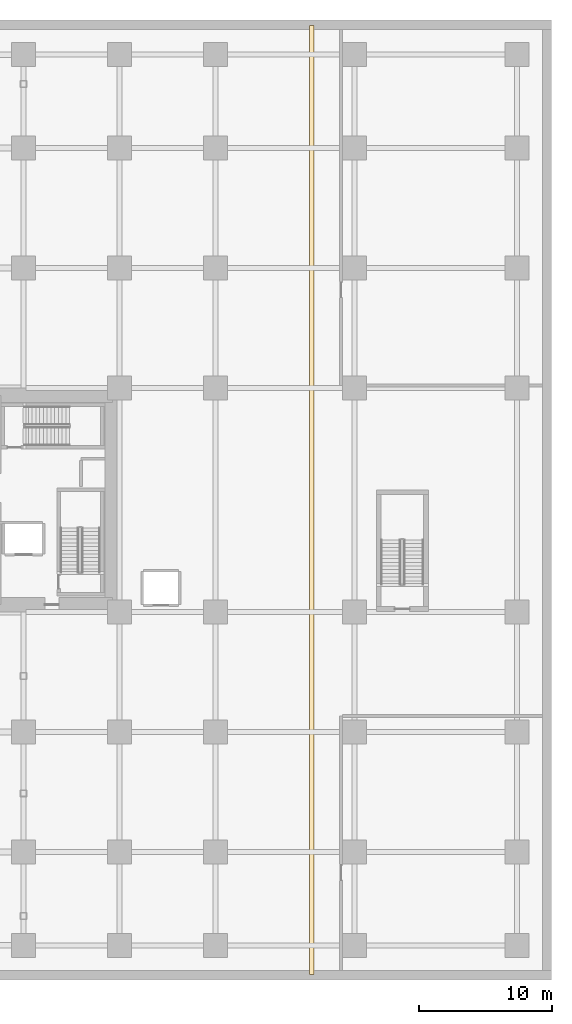
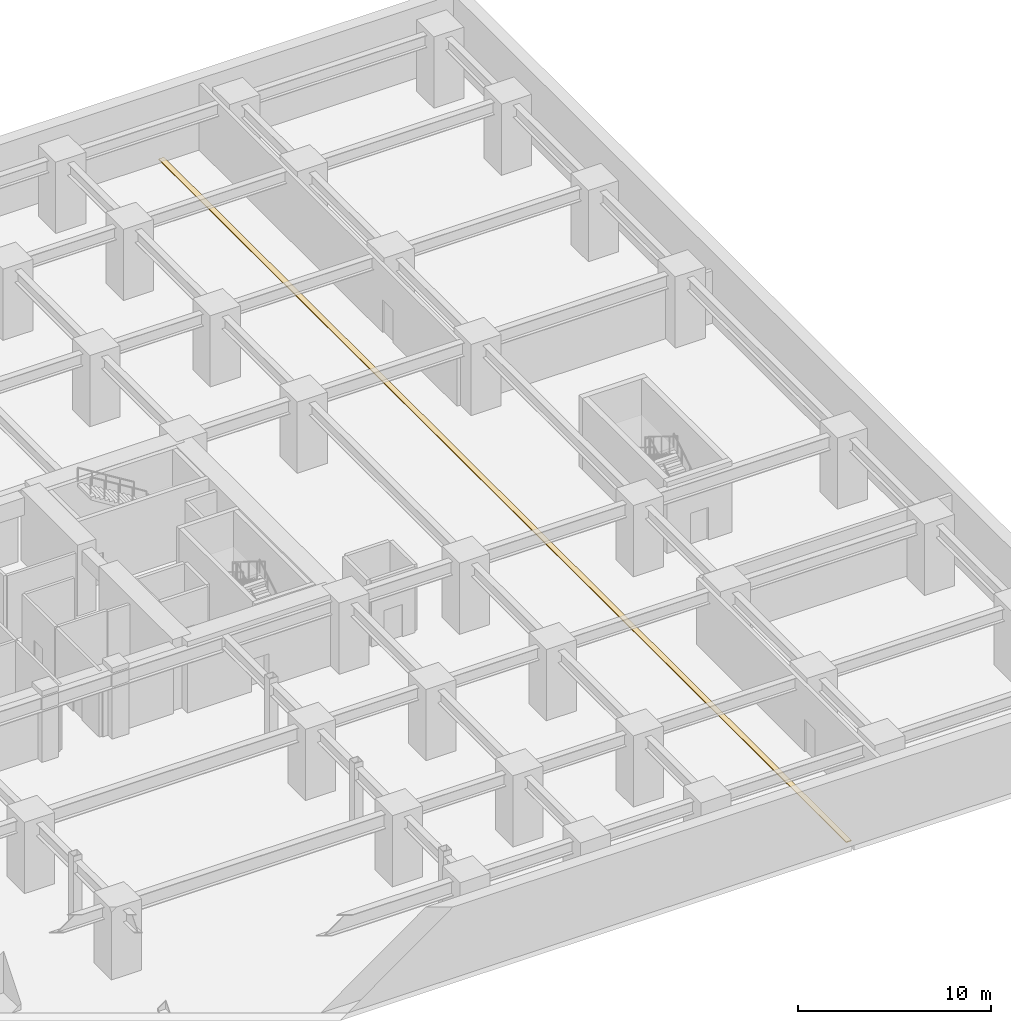
# One storey, part 19 of 20: 1 covering.
"""IFC4 building model written with IfcOpenShell, lengths in metres."""

from ifc_helpers import new_model, si_unit, direction, frame, origin, place, context, subcontext, project, spatial, polyline, outline, extrude, material, layer, layer_set, type_object, element, save


model = new_model("IFC4")

# Units and contexts
model_context = context("Model", 3, precision=1e-05, world=origin(), true_north=direction((0.0, 1.0)))
body_context = subcontext(model_context, "Body", "Model", "MODEL_VIEW")
ifc_project = project(units=[si_unit("LENGTHUNIT", "METRE"), si_unit("AREAUNIT", "SQUARE_METRE"), si_unit("VOLUMEUNIT", "CUBIC_METRE"), si_unit("PLANEANGLEUNIT", "RADIAN"), si_unit("MASSUNIT", "GRAM", prefix="KILO")], contexts=[model_context])

# Site, building, storey
site_placement = place(None, origin())
site = spatial("IfcSite", under=ifc_project, at=site_placement, CompositionType="ELEMENT")
building_placement = place(site_placement, origin())
building = spatial("IfcBuilding", under=site, at=building_placement, Name="Kiyonajd Concourse Tower", CompositionType="ELEMENT")
storey_placement = place(building_placement, frame((0.0, 0.0, -4.5)))
storey = spatial("IfcBuildingStorey", under=building, at=storey_placement, Name="B1", CompositionType="ELEMENT", Elevation=-4.5)

# Covering
ifc_material = material(Name="Riyadh Jubaila Limestone", Category="masonry")
ifc_layer = layer(ifc_material, 0.050048828125)
ifc_layer_set = layer_set([ifc_layer], Name="Riyadh Jubaila Limestone")
covering_type = type_object("IfcCoveringType", Name="CV-FLR-RAISED", PredefinedType="FLOORING", material=ifc_layer_set)
covering_placement = place(storey_placement, origin())
element("IfcCovering", 1, at=covering_placement, inside=storey, type_object=covering_type, Name="B1 Seismic Movement Joint MJ1 Floor Cover Assembly", PredefinedType="FLOORING", context=body_context, shape_type="SweptSolid", body=[
    extrude(outline(polyline([(77.840087890625, 0.39990234375), (78.159912109375, 0.39990234375), (78.159912109375, 71.60009765625), (77.840087890625, 71.60009765625), (77.840087890625, 0.39990234375)])), origin(), (0.0, 0.0, 1.0), 0.050048828125),
])

save(model, "model.ifc")
